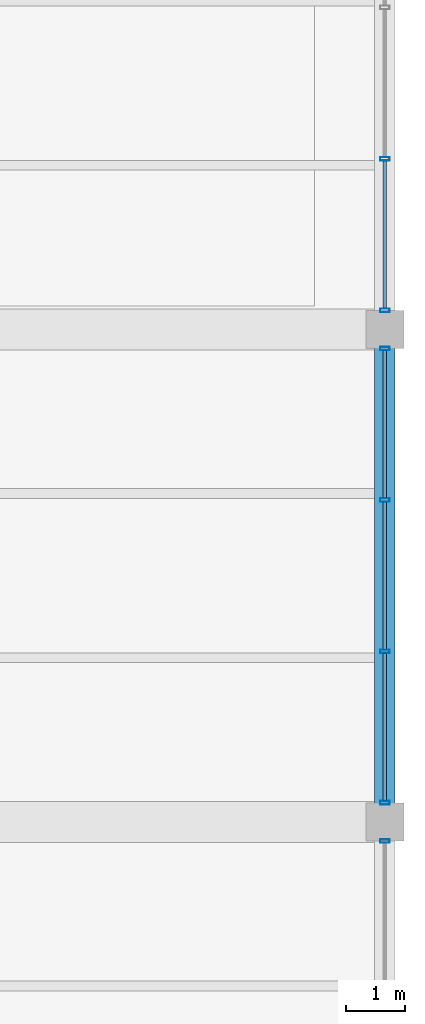
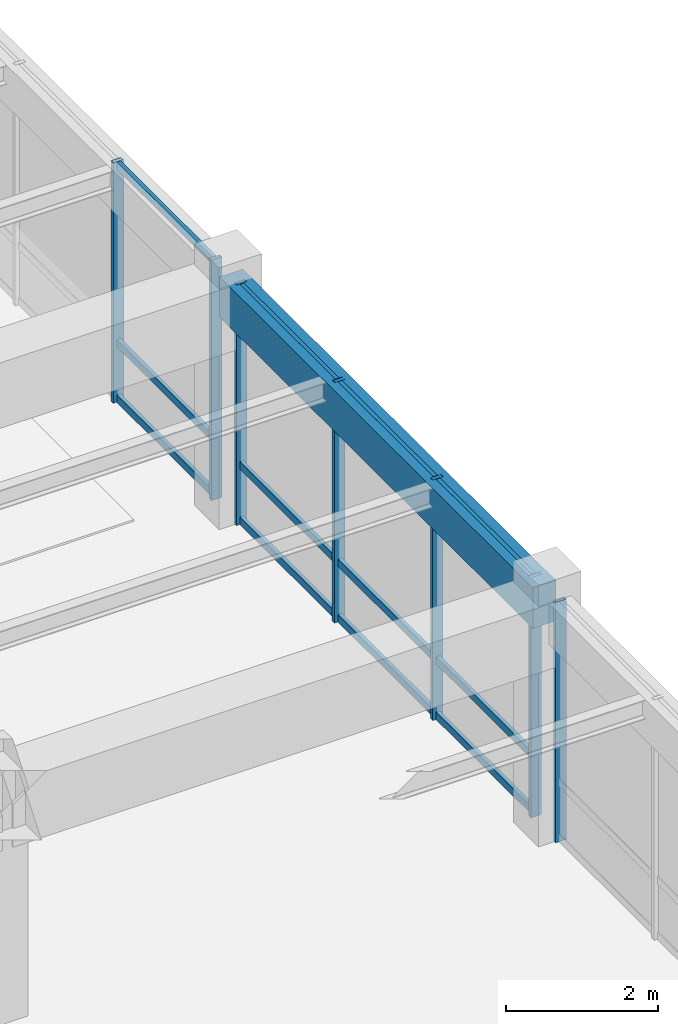
# One storey, part 93 of 138: 19 members, 1 beam, 3 elements without a shape of their own.
"""IFC4 building model written with IfcOpenShell, lengths in metres."""

from ifc_helpers import new_model, si_unit, direction, frame, origin, origin_2d, place, context, subcontext, project, spatial, rectangle, hollow_rectangle, extrude, material, material_profile, profile_set, type_object, element, aggregate, save


model = new_model("IFC4")

# Units and contexts
model_context = context("Model", 3, precision=1e-05, world=origin(), true_north=direction((0.0, 1.0)))
body_context = subcontext(model_context, "Body", "Model", "MODEL_VIEW")
ifc_project = project(units=[si_unit("LENGTHUNIT", "METRE"), si_unit("AREAUNIT", "SQUARE_METRE"), si_unit("VOLUMEUNIT", "CUBIC_METRE"), si_unit("PLANEANGLEUNIT", "RADIAN"), si_unit("MASSUNIT", "GRAM", prefix="KILO"), si_unit("THERMODYNAMICTEMPERATUREUNIT", "KELVIN"), si_unit("POWERUNIT", "WATT")], contexts=[model_context])

# Site, building, storey
site_placement = place(None, origin())
site = spatial("IfcSite", under=ifc_project, at=site_placement, CompositionType="ELEMENT")
building_placement = place(site_placement, origin())
building = spatial("IfcBuilding", under=site, at=building_placement, Name="Darbajah Civic Hall", CompositionType="ELEMENT")
storey_placement = place(building_placement, frame((0.0, 0.0, 9.60009765625)))
storey = spatial("IfcBuildingStorey", under=building, at=storey_placement, Name="L02", CompositionType="ELEMENT", Elevation=9.60009765625)

# Curtain wall, member
ifc_material_1 = material(Name="Anodised Bronze Aluminium and Low-E Glazing", Category="aluminium")
curtain_wall_type = type_object("IfcCurtainWallType", Name="Unitised Curtain Wall CW-97 7700x3850", PredefinedType="USERDEFINED", material=ifc_material_1)
curtain_wall_1_placement = place(storey_placement, origin())
curtain_wall_1 = element("IfcCurtainWall", 1, at=curtain_wall_1_placement, inside=storey, type_object=curtain_wall_type, Name="L02 unitised curtain wall CW-V4-L02-S1-B0", ObjectType="UNITISED CURTAIN WALL", PredefinedType="USERDEFINED")
ifc_material_2 = material(Name="Anodised Bronze Aluminium", Category="aluminium")
ifc_material_profile_1 = material_profile(ifc_material_2, hollow_rectangle(XDim=0.06005859375, YDim=0.159912109375, WallThickness=0.00341796875, at=origin_2d()), Name="ALU MULLION 60x160")
ifc_profile_set_1 = profile_set([ifc_material_profile_1], Name="Anodised Bronze Aluminium")
member_type_1 = type_object("IfcMemberType", Name="ALU MULLION 60x160", PredefinedType="MULLION", material=ifc_profile_set_1)
member_1_placement = place(storey_placement, frame((178.199951171875, 64.472900390625, 0.0), z_axis=(0.0, 0.0, 1.0), x_axis=(0.0, 1.0, 0.0)))
member_1 = element("IfcMember", 2, at=member_1_placement, type_object=member_type_1, Name="CW-V4-L02-S1-B0 mullion 4", PredefinedType="MULLION", context=body_context, shape_type="SweptSolid", body=[
    extrude(hollow_rectangle(XDim=0.06005859375, YDim=0.159912109375, WallThickness=0.00341796875, at=origin_2d()), origin(), (0.0, 0.0, 1.0), 3.85986328125),
])
aggregate(curtain_wall_1, [member_1])

# Curtain wall, members
curtain_wall_2_placement = place(storey_placement, origin())
curtain_wall_2 = element("IfcCurtainWall", 3, at=curtain_wall_2_placement, inside=storey, type_object=curtain_wall_type, Name="L02 unitised curtain wall CW-V4-L02-S1-B1", ObjectType="UNITISED CURTAIN WALL", PredefinedType="USERDEFINED")
member_2_placement = place(storey_placement, frame((178.199951171875, 65.126953125, 0.0), z_axis=(0.0, 0.0, 1.0), x_axis=(0.0, 1.0, 0.0)))
member_2 = element("IfcMember", 4, at=member_2_placement, type_object=member_type_1, Name="CW-V4-L02-S1-B1 mullion 1", PredefinedType="MULLION", context=body_context, shape_type="SweptSolid", body=[
    extrude(hollow_rectangle(XDim=0.06005859375, YDim=0.159912109375, WallThickness=0.00341796875, at=origin_2d()), origin(), (0.0, 0.0, 1.0), 3.85986328125),
])
member_3_placement = place(storey_placement, frame((178.199951171875, 67.708984375, 0.0), z_axis=(0.0, 0.0, 1.0), x_axis=(0.0, 1.0, 0.0)))
member_3 = element("IfcMember", 5, at=member_3_placement, type_object=member_type_1, Name="CW-V4-L02-S1-B1 mullion 2", PredefinedType="MULLION", context=body_context, shape_type="SweptSolid", body=[
    extrude(hollow_rectangle(XDim=0.06005859375, YDim=0.159912109375, WallThickness=0.00341796875, at=origin_2d()), origin(), (0.0, 0.0, 1.0), 3.85986328125),
])
member_4_placement = place(storey_placement, frame((178.199951171875, 70.291015625, 0.0), z_axis=(0.0, 0.0, 1.0), x_axis=(0.0, 1.0, 0.0)))
member_4 = element("IfcMember", 6, at=member_4_placement, type_object=member_type_1, Name="CW-V4-L02-S1-B1 mullion 3", PredefinedType="MULLION", context=body_context, shape_type="SweptSolid", body=[
    extrude(hollow_rectangle(XDim=0.06005859375, YDim=0.159912109375, WallThickness=0.00341796875, at=origin_2d()), origin(), (0.0, 0.0, 1.0), 3.85986328125),
])
member_5_placement = place(storey_placement, frame((178.199951171875, 72.873046875, 0.0), z_axis=(0.0, 0.0, 1.0), x_axis=(0.0, 1.0, 0.0)))
member_5 = element("IfcMember", 7, at=member_5_placement, type_object=member_type_1, Name="CW-V4-L02-S1-B1 mullion 4", PredefinedType="MULLION", context=body_context, shape_type="SweptSolid", body=[
    extrude(hollow_rectangle(XDim=0.06005859375, YDim=0.159912109375, WallThickness=0.00341796875, at=origin_2d()), origin(), (0.0, 0.0, 1.0), 3.85986328125),
])

curtain_wall_3_placement = place(storey_placement, origin())
curtain_wall_3 = element("IfcCurtainWall", 8, at=curtain_wall_3_placement, inside=storey, type_object=curtain_wall_type, Name="L02 unitised curtain wall CW-V4-L02-S1-B2", ObjectType="UNITISED CURTAIN WALL", PredefinedType="USERDEFINED")
member_6_placement = place(storey_placement, frame((178.199951171875, 73.527099609375, 0.0), z_axis=(0.0, 0.0, 1.0), x_axis=(0.0, 1.0, 0.0)))
member_6 = element("IfcMember", 9, at=member_6_placement, type_object=member_type_1, Name="CW-V4-L02-S1-B2 mullion 1", PredefinedType="MULLION", context=body_context, shape_type="SweptSolid", body=[
    extrude(hollow_rectangle(XDim=0.06005859375, YDim=0.159912109375, WallThickness=0.00341796875, at=origin_2d()), origin(), (0.0, 0.0, 1.0), 3.85986328125),
])
member_7_placement = place(storey_placement, frame((178.199951171875, 76.10888671875, 0.0), z_axis=(0.0, 0.0, 1.0), x_axis=(0.0, 1.0, 0.0)))
member_7 = element("IfcMember", 10, at=member_7_placement, type_object=member_type_1, Name="CW-V4-L02-S1-B2 mullion 2", PredefinedType="MULLION", context=body_context, shape_type="SweptSolid", body=[
    extrude(hollow_rectangle(XDim=0.06005859375, YDim=0.159912109375, WallThickness=0.00341796875, at=origin_2d()), origin(), (0.0, 0.0, 1.0), 3.85986328125),
])

# Member
ifc_material_profile_2 = material_profile(ifc_material_2, hollow_rectangle(XDim=0.06005859375, YDim=0.1201171875, WallThickness=0.003173828125, at=origin_2d()), Name="ALU TRANSOM 60x120")
ifc_profile_set_2 = profile_set([ifc_material_profile_2], Name="Anodised Bronze Aluminium")
member_type_2 = type_object("IfcMemberType", Name="ALU TRANSOM 60x120", PredefinedType="USERDEFINED", material=ifc_profile_set_2)
member_8_placement = place(storey_placement, frame((178.199951171875, 65.162109375, 0.059814453125), z_axis=(0.0, 1.0, 0.0), x_axis=(-1.0, 0.0, 0.0)))
member_8 = element("IfcMember", 11, at=member_8_placement, type_object=member_type_2, Name="CW-V4-L02-S1-B1 transom 1.1", ObjectType="TRANSOM", PredefinedType="USERDEFINED", context=body_context, shape_type="SweptSolid", body=[
    extrude(hollow_rectangle(XDim=0.06005859375, YDim=0.1201171875, WallThickness=0.003173828125, at=origin_2d()), origin(), (0.0, 0.0, 1.0), 2.511962890625),
])

member_9_placement = place(storey_placement, frame((178.199951171875, 65.162109375, 0.949951171875), z_axis=(0.0, 1.0, 0.0), x_axis=(-1.0, 0.0, 0.0)))
member_9 = element("IfcMember", 12, at=member_9_placement, type_object=member_type_2, Name="CW-V4-L02-S1-B1 transom 1.2", ObjectType="TRANSOM", PredefinedType="USERDEFINED", context=body_context, shape_type="SweptSolid", body=[
    extrude(hollow_rectangle(XDim=0.06005859375, YDim=0.1201171875, WallThickness=0.003173828125, at=origin_2d()), origin(), (0.0, 0.0, 1.0), 2.511962890625),
])

member_10_placement = place(storey_placement, frame((178.199951171875, 65.162109375, 3.7998046875), z_axis=(0.0, 1.0, 0.0), x_axis=(-1.0, 0.0, 0.0)))
member_10 = element("IfcMember", 13, at=member_10_placement, type_object=member_type_2, Name="CW-V4-L02-S1-B1 transom 1.3", ObjectType="TRANSOM", PredefinedType="USERDEFINED", context=body_context, shape_type="SweptSolid", body=[
    extrude(hollow_rectangle(XDim=0.06005859375, YDim=0.1201171875, WallThickness=0.003173828125, at=origin_2d()), origin(), (0.0, 0.0, 1.0), 2.511962890625),
])

member_11_placement = place(storey_placement, frame((178.199951171875, 67.743896484375, 0.059814453125), z_axis=(0.0, 1.0, 0.0), x_axis=(-1.0, 0.0, 0.0)))
member_11 = element("IfcMember", 14, at=member_11_placement, type_object=member_type_2, Name="CW-V4-L02-S1-B1 transom 2.1", ObjectType="TRANSOM", PredefinedType="USERDEFINED", context=body_context, shape_type="SweptSolid", body=[
    extrude(hollow_rectangle(XDim=0.06005859375, YDim=0.1201171875, WallThickness=0.003173828125, at=origin_2d()), origin(), (0.0, 0.0, 1.0), 2.51220703125),
])

member_12_placement = place(storey_placement, frame((178.199951171875, 67.743896484375, 0.949951171875), z_axis=(0.0, 1.0, 0.0), x_axis=(-1.0, 0.0, 0.0)))
member_12 = element("IfcMember", 15, at=member_12_placement, type_object=member_type_2, Name="CW-V4-L02-S1-B1 transom 2.2", ObjectType="TRANSOM", PredefinedType="USERDEFINED", context=body_context, shape_type="SweptSolid", body=[
    extrude(hollow_rectangle(XDim=0.06005859375, YDim=0.1201171875, WallThickness=0.003173828125, at=origin_2d()), origin(), (0.0, 0.0, 1.0), 2.51220703125),
])

member_13_placement = place(storey_placement, frame((178.199951171875, 67.743896484375, 3.7998046875), z_axis=(0.0, 1.0, 0.0), x_axis=(-1.0, 0.0, 0.0)))
member_13 = element("IfcMember", 16, at=member_13_placement, type_object=member_type_2, Name="CW-V4-L02-S1-B1 transom 2.3", ObjectType="TRANSOM", PredefinedType="USERDEFINED", context=body_context, shape_type="SweptSolid", body=[
    extrude(hollow_rectangle(XDim=0.06005859375, YDim=0.1201171875, WallThickness=0.003173828125, at=origin_2d()), origin(), (0.0, 0.0, 1.0), 2.51220703125),
])

member_14_placement = place(storey_placement, frame((178.199951171875, 70.325927734375, 0.059814453125), z_axis=(0.0, 1.0, 0.0), x_axis=(-1.0, 0.0, 0.0)))
member_14 = element("IfcMember", 17, at=member_14_placement, type_object=member_type_2, Name="CW-V4-L02-S1-B1 transom 3.1", ObjectType="TRANSOM", PredefinedType="USERDEFINED", context=body_context, shape_type="SweptSolid", body=[
    extrude(hollow_rectangle(XDim=0.06005859375, YDim=0.1201171875, WallThickness=0.003173828125, at=origin_2d()), origin(), (0.0, 0.0, 1.0), 2.511962890625),
])

member_15_placement = place(storey_placement, frame((178.199951171875, 70.325927734375, 0.949951171875), z_axis=(0.0, 1.0, 0.0), x_axis=(-1.0, 0.0, 0.0)))
member_15 = element("IfcMember", 18, at=member_15_placement, type_object=member_type_2, Name="CW-V4-L02-S1-B1 transom 3.2", ObjectType="TRANSOM", PredefinedType="USERDEFINED", context=body_context, shape_type="SweptSolid", body=[
    extrude(hollow_rectangle(XDim=0.06005859375, YDim=0.1201171875, WallThickness=0.003173828125, at=origin_2d()), origin(), (0.0, 0.0, 1.0), 2.511962890625),
])

member_16_placement = place(storey_placement, frame((178.199951171875, 70.325927734375, 3.7998046875), z_axis=(0.0, 1.0, 0.0), x_axis=(-1.0, 0.0, 0.0)))
member_16 = element("IfcMember", 19, at=member_16_placement, type_object=member_type_2, Name="CW-V4-L02-S1-B1 transom 3.3", ObjectType="TRANSOM", PredefinedType="USERDEFINED", context=body_context, shape_type="SweptSolid", body=[
    extrude(hollow_rectangle(XDim=0.06005859375, YDim=0.1201171875, WallThickness=0.003173828125, at=origin_2d()), origin(), (0.0, 0.0, 1.0), 2.511962890625),
])

aggregate(curtain_wall_2, [member_2, member_3, member_4, member_5, member_8, member_9, member_10, member_11, member_12, member_13, member_14, member_15, member_16])

member_17_placement = place(storey_placement, frame((178.199951171875, 73.56201171875, 0.059814453125), z_axis=(0.0, 1.0, 0.0), x_axis=(-1.0, 0.0, 0.0)))
member_17 = element("IfcMember", 20, at=member_17_placement, type_object=member_type_2, Name="CW-V4-L02-S1-B2 transom 1.1", ObjectType="TRANSOM", PredefinedType="USERDEFINED", context=body_context, shape_type="SweptSolid", body=[
    extrude(hollow_rectangle(XDim=0.06005859375, YDim=0.1201171875, WallThickness=0.003173828125, at=origin_2d()), origin(), (0.0, 0.0, 1.0), 2.511962890625),
])

member_18_placement = place(storey_placement, frame((178.199951171875, 73.56201171875, 0.949951171875), z_axis=(0.0, 1.0, 0.0), x_axis=(-1.0, 0.0, 0.0)))
member_18 = element("IfcMember", 21, at=member_18_placement, type_object=member_type_2, Name="CW-V4-L02-S1-B2 transom 1.2", ObjectType="TRANSOM", PredefinedType="USERDEFINED", context=body_context, shape_type="SweptSolid", body=[
    extrude(hollow_rectangle(XDim=0.06005859375, YDim=0.1201171875, WallThickness=0.003173828125, at=origin_2d()), origin(), (0.0, 0.0, 1.0), 2.511962890625),
])

member_19_placement = place(storey_placement, frame((178.199951171875, 73.56201171875, 3.7998046875), z_axis=(0.0, 1.0, 0.0), x_axis=(-1.0, 0.0, 0.0)))
member_19 = element("IfcMember", 22, at=member_19_placement, type_object=member_type_2, Name="CW-V4-L02-S1-B2 transom 1.3", ObjectType="TRANSOM", PredefinedType="USERDEFINED", context=body_context, shape_type="SweptSolid", body=[
    extrude(hollow_rectangle(XDim=0.06005859375, YDim=0.1201171875, WallThickness=0.003173828125, at=origin_2d()), origin(), (0.0, 0.0, 1.0), 2.511962890625),
])

aggregate(curtain_wall_3, [member_6, member_7, member_17, member_18, member_19])

# Beam
ifc_material_3 = material(Name="Concrete C45/55", Category="concrete")
ifc_material_profile_3 = material_profile(ifc_material_3, rectangle(XDim=0.35009765625, YDim=0.64990234375, at=origin_2d()), Name="RC SPANDREL 350x650")
ifc_profile_set_3 = profile_set([ifc_material_profile_3], Name="Concrete C45/55")
beam_type = type_object("IfcBeamType", Name="RC SPANDREL 350x650", PredefinedType="SPANDREL", material=ifc_profile_set_3)
beam_placement = place(storey_placement, frame((178.199951171875, 64.8798828125, 3.534912109375), z_axis=(0.0, 1.0, 0.0), x_axis=(-1.0, 0.0, 0.0)))
element("IfcBeam", 23, at=beam_placement, inside=storey, type_object=beam_type, Name="L02 beam SP-3565", PredefinedType="SPANDREL", context=body_context, shape_type="SweptSolid", body=[
    extrude(rectangle(XDim=0.35009765625, YDim=0.64990234375, at=origin_2d()), origin(), (0.0, 0.0, 1.0), 8.240234375),
])

save(model, "model.ifc")
